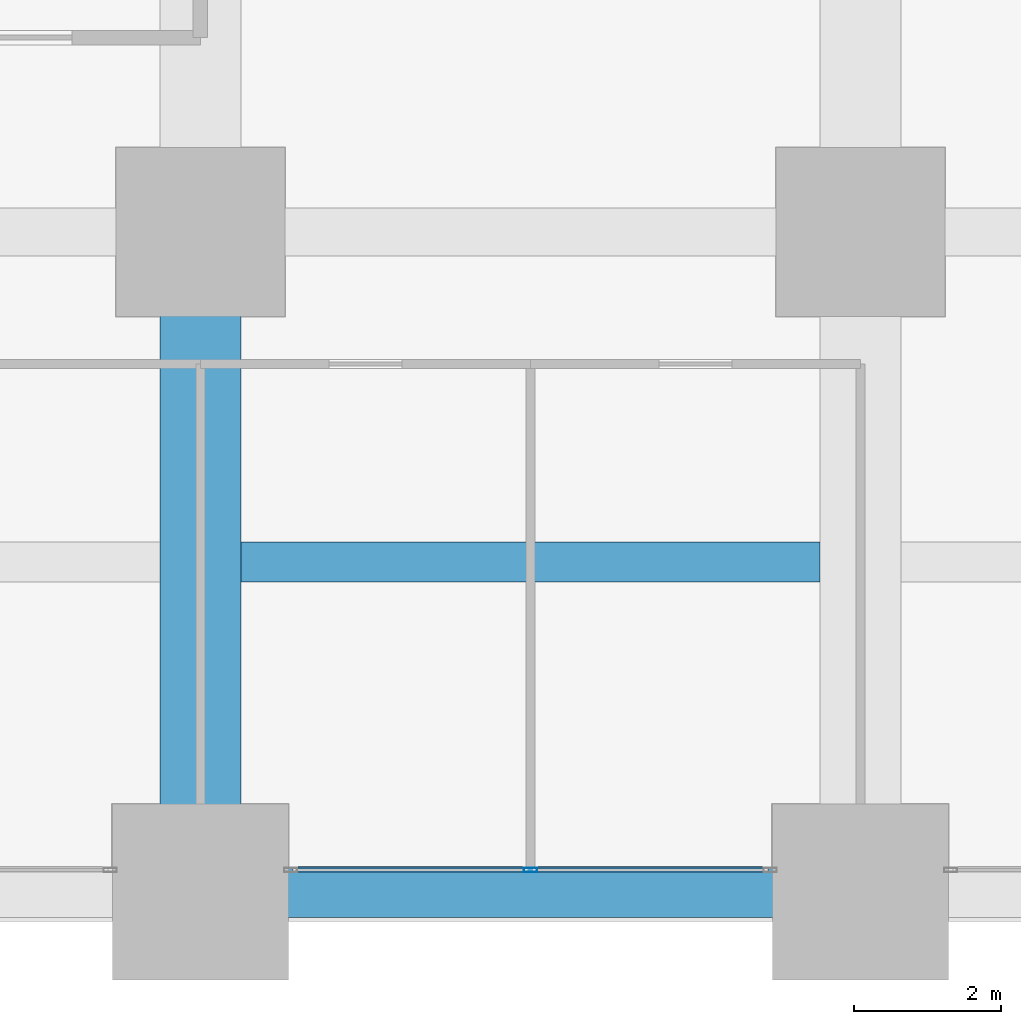
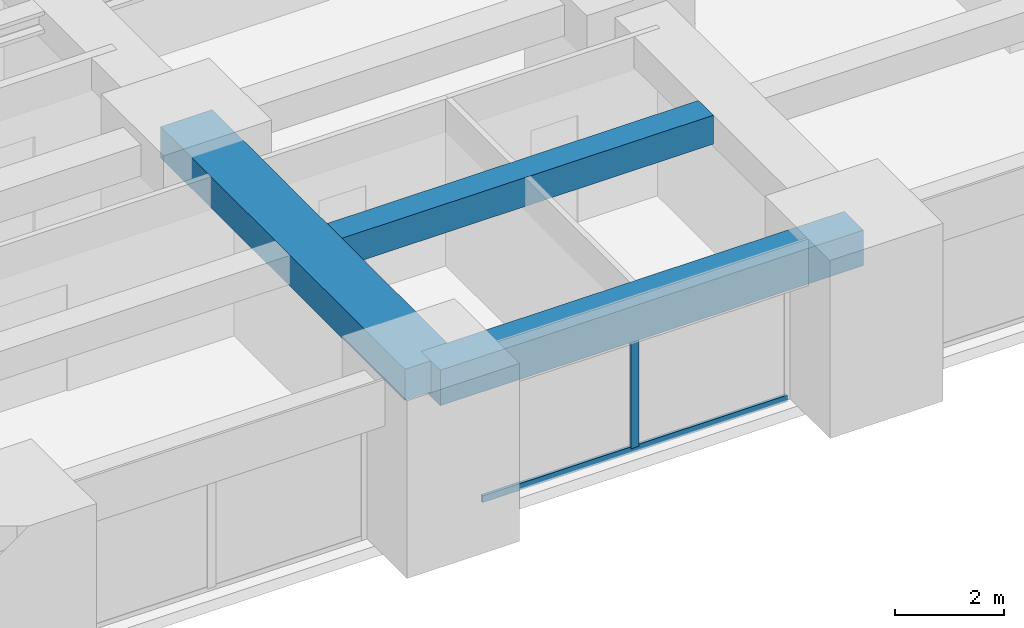
# One storey, part 7 of 44: 3 beams, 2 members, 1 element without a shape of its own.
"""IFC4 building model written with IfcOpenShell, lengths in metres."""

from ifc_helpers import new_model, si_unit, direction, frame, origin, origin_2d, place, context, subcontext, project, spatial, rectangle, hollow_rectangle, extrude, material, material_profile, profile_set, type_object, element, aggregate, save


model = new_model("IFC4")

# Units and contexts
model_context = context("Model", 3, precision=1e-05, world=origin(), true_north=direction((0.0, 1.0)))
body_context = subcontext(model_context, "Body", "Model", "MODEL_VIEW")
ifc_project = project(units=[si_unit("LENGTHUNIT", "METRE"), si_unit("AREAUNIT", "SQUARE_METRE"), si_unit("VOLUMEUNIT", "CUBIC_METRE"), si_unit("PLANEANGLEUNIT", "RADIAN"), si_unit("MASSUNIT", "GRAM", prefix="KILO")], contexts=[model_context])

# Site, building, storey
site_placement = place(None, origin())
site = spatial("IfcSite", under=ifc_project, at=site_placement, CompositionType="ELEMENT")
building_placement = place(site_placement, origin())
building = spatial("IfcBuilding", under=site, at=building_placement, Name="Zorevar Civic Tower", CompositionType="ELEMENT")
storey_placement = place(building_placement, frame((0.0, 0.0, 35.800048828125)))
storey = spatial("IfcBuildingStorey", under=building, at=storey_placement, Name="L08", CompositionType="ELEMENT", Elevation=35.800048828125)

# Beams
ifc_material_1 = material(Name="Concrete C50/60", Category="concrete")
ifc_material_profile_1 = material_profile(ifc_material_1, rectangle(XDim=1.10009765625, YDim=0.699951171875, at=origin_2d()), Name="RC 1100x700")
ifc_profile_set_1 = profile_set([ifc_material_profile_1], Name="Concrete C50/60")
beam_type_1 = type_object("IfcBeamType", Name="Beam RC 1100x700", PredefinedType="BEAM", material=ifc_profile_set_1)
beam_1_placement = place(storey_placement, frame((27.0, 0.0, 3.39990234375), z_axis=(0.0, 1.0, 0.0), x_axis=(-1.0, 0.0, 0.0)))
element("IfcBeam", 1, at=beam_1_placement, inside=storey, type_object=beam_type_1, Name="Girder L09", PredefinedType="BEAM", context=body_context, shape_type="SweptSolid", body=[
    extrude(rectangle(XDim=1.10009765625, YDim=0.699951171875, at=origin_2d()), origin(), (0.0, 0.0, 1.0), 9.0),
])
ifc_material_2 = material(Name="Concrete C50/60", Category="concrete")
ifc_material_profile_2 = material_profile(ifc_material_2, rectangle(XDim=0.550048828125, YDim=0.64990234375, at=origin_2d()), Name="RC 550x650")
ifc_profile_set_2 = profile_set([ifc_material_profile_2], Name="Concrete C50/60")
beam_type_2 = type_object("IfcBeamType", Name="Beam RC 550x650", PredefinedType="BEAM", material=ifc_profile_set_2)
beam_2_placement = place(storey_placement, frame((27.550048828125, 4.5, 3.425048828125), z_axis=(1.0, 0.0, 0.0), x_axis=(0.0, 1.0, 0.0)))
element("IfcBeam", 2, at=beam_2_placement, inside=storey, type_object=beam_type_2, Name="Secondary beam L09", PredefinedType="BEAM", context=body_context, shape_type="SweptSolid", body=[
    extrude(rectangle(XDim=0.550048828125, YDim=0.64990234375, at=origin_2d()), origin(), (0.0, 0.0, 1.0), 7.89990234375),
])

# Curtain wall, members
ifc_material_3 = material(Name="Dark grey solar-control glass in black aluminium frame", Category="aluminium")
curtain_wall_type = type_object("IfcCurtainWallType", Name="Curtain wall CW2 low zone", PredefinedType="NOTDEFINED", material=ifc_material_3)
curtain_wall_placement = place(storey_placement, origin())
curtain_wall = element("IfcCurtainWall", 3, at=curtain_wall_placement, inside=storey, type_object=curtain_wall_type, Name="CW2 L08", PredefinedType="NOTDEFINED")
ifc_material_4 = material(Name="Aluminium, black anodised", Category="aluminium")
ifc_material_profile_3 = material_profile(ifc_material_4, hollow_rectangle(XDim=0.06005859375, YDim=0.179931640625, WallThickness=0.00390625, at=origin_2d()), Name="AL 180x60x4")
ifc_profile_set_3 = profile_set([ifc_material_profile_3], Name="Aluminium, black anodised")
member_type_1 = type_object("IfcMemberType", Name="CW2 mullion AL 180x60x4", PredefinedType="MULLION", material=ifc_profile_set_3)
member_1_placement = place(storey_placement, frame((31.5, 0.300048828125, 0.06005859375), z_axis=(0.0, 0.0, 1.0), x_axis=(0.0, 1.0, 0.0)))
member_1 = element("IfcMember", 4, at=member_1_placement, type_object=member_type_1, Name="CW2 mullion 2", PredefinedType="MULLION", context=body_context, shape_type="SweptSolid", body=[
    extrude(hollow_rectangle(XDim=0.06005859375, YDim=0.179931640625, WallThickness=0.00390625, at=origin_2d()), origin(), (0.0, 0.0, 1.0), 2.889892578125),
])
ifc_material_5 = material(Name="Aluminium, black anodised", Category="aluminium")
ifc_material_profile_4 = material_profile(ifc_material_5, hollow_rectangle(XDim=0.06005859375, YDim=0.14990234375, WallThickness=0.00390625, at=origin_2d()), Name="AL 150x60x4")
ifc_profile_set_4 = profile_set([ifc_material_profile_4], Name="Aluminium, black anodised")
member_type_2 = type_object("IfcMemberType", Name="CW2 transom AL 150x60x4", PredefinedType="USERDEFINED", material=ifc_profile_set_4)
member_2_placement = place(storey_placement, frame((28.260009765625, 0.300048828125, 0.030029296875), z_axis=(1.0, 0.0, 0.0), x_axis=(0.0, 1.0, 0.0)))
member_2 = element("IfcMember", 5, at=member_2_placement, type_object=member_type_2, Name="CW2 sill transom", ObjectType="TRANSOM", PredefinedType="USERDEFINED", context=body_context, shape_type="SweptSolid", body=[
    extrude(hollow_rectangle(XDim=0.06005859375, YDim=0.14990234375, WallThickness=0.00390625, at=origin_2d()), origin(), (0.0, 0.0, 1.0), 6.47998046875),
])
aggregate(curtain_wall, [member_1, member_2])

# Beam
ifc_material_6 = material(Name="Concrete C50/60", Category="concrete")
ifc_material_profile_5 = material_profile(ifc_material_6, rectangle(XDim=0.699951171875, YDim=0.800048828125, at=origin_2d()), Name="RC 700x800")
ifc_profile_set_5 = profile_set([ifc_material_profile_5], Name="Concrete C50/60")
beam_type_3 = type_object("IfcBeamType", Name="Edge beam RC 700x800", PredefinedType="SPANDREL", material=ifc_profile_set_5)
beam_3_placement = place(storey_placement, frame((27.0, 0.0, 3.349853515625), z_axis=(1.0, 0.0, 0.0), x_axis=(0.0, 1.0, 0.0)))
element("IfcBeam", 6, at=beam_3_placement, inside=storey, type_object=beam_type_3, Name="Edge beam L09", PredefinedType="SPANDREL", context=body_context, shape_type="SweptSolid", body=[
    extrude(rectangle(XDim=0.699951171875, YDim=0.800048828125, at=origin_2d()), origin(), (0.0, 0.0, 1.0), 9.0),
])

save(model, "model.ifc")
